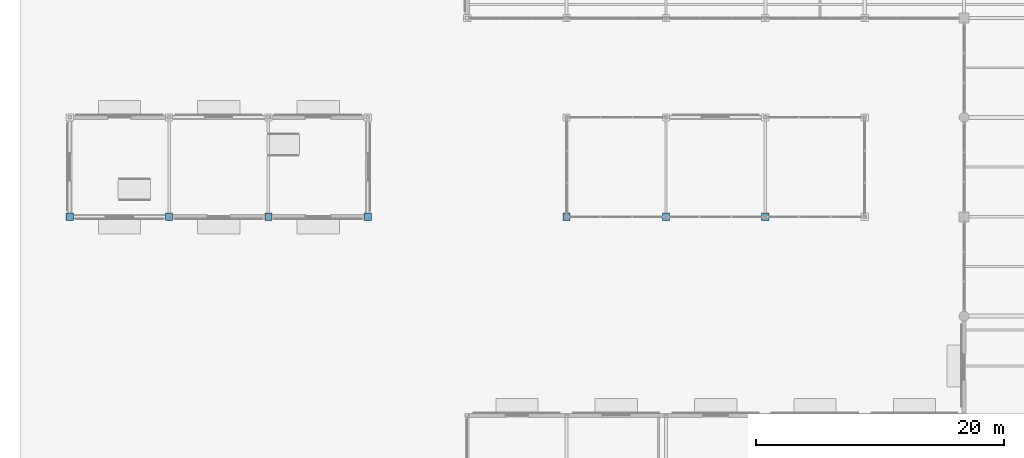
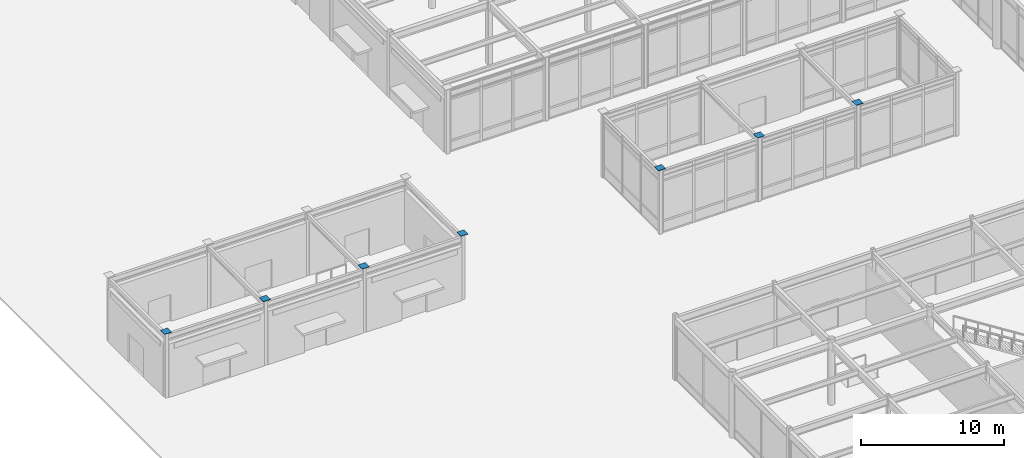
# One storey, part 111 of 128: 7 discrete accessories.
"""IFC4 building model written with IfcOpenShell, lengths in metres."""

from ifc_helpers import new_model, si_unit, direction, frame, origin, origin_2d, place, context, subcontext, project, spatial, rectangle, extrude, material, layer, layer_set, type_object, element, save


model = new_model("IFC4")

# Units and contexts
model_context = context("Model", 3, precision=1e-05, world=origin(), true_north=direction((0.0, 1.0)))
body_context = subcontext(model_context, "Body", "Model", "MODEL_VIEW")
ifc_project = project(units=[si_unit("LENGTHUNIT", "METRE"), si_unit("AREAUNIT", "SQUARE_METRE"), si_unit("VOLUMEUNIT", "CUBIC_METRE"), si_unit("PLANEANGLEUNIT", "RADIAN"), si_unit("MASSUNIT", "GRAM", prefix="KILO")], contexts=[model_context])

# Site, building, storey
site_placement = place(None, origin())
site = spatial("IfcSite", under=ifc_project, at=site_placement, CompositionType="ELEMENT")
building_placement = place(site_placement, origin())
building = spatial("IfcBuilding", under=site, at=building_placement, Name="Solmirada Galleria", CompositionType="ELEMENT")
storey_placement = place(building_placement, origin())
storey = spatial("IfcBuildingStorey", under=building, at=storey_placement, Name="L00", CompositionType="ELEMENT", Elevation=0.0)

# Discrete accessories
ifc_material = material(Name="Steel S355 / ASTM A572 Grade 50", Category="steel")
ifc_layer = layer(ifc_material, 0.031982421875)
ifc_layer_set = layer_set([ifc_layer], Name="Steel S355 / ASTM A572 Grade 50")
discrete_accessory_type = type_object("IfcDiscreteAccessoryType", Name="ACC-COL-CAP", PredefinedType="BRACKET", material=ifc_layer_set)
for number, where, z_axis, x_axis, name in (
    (1, (8.0, 56.0, 5.59423828125), (0.0, 0.0, 1.0), (1.0, 0.0, 0.0), "Hollow column cap plate L00-0002"),
    (2, (16.0, 56.0, 5.59423828125), (0.0, 0.0, 1.0), (1.0, 0.0, 0.0), "Hollow column cap plate L00-0006"),
    (3, (24.0, 56.0, 5.59423828125), (0.0, 0.0, 1.0), (1.0, 0.0, 0.0), "Hollow column cap plate L00-0010"),
    (4, (32.0, 56.0, 5.59423828125), (0.0, 0.0, 1.0), (1.0, 0.0, 0.0), "Hollow column cap plate L00-0014"),
    (5, (48.0, 56.0, 5.59423828125), (0.0, 0.0, 1.0), (1.0, 0.0, 0.0), "Hollow column cap plate L00-0103"),
    (6, (56.0, 56.0, 5.59423828125), (0.0, 0.0, 1.0), (1.0, 0.0, 0.0), "Hollow column cap plate L00-0170"),
    (7, (64.0, 56.0, 5.59423828125), (0.0, 0.0, 1.0), (1.0, 0.0, 0.0), "Hollow column cap plate L00-0234"),
):
    element("IfcDiscreteAccessory", number, at=place(storey_placement, frame(where, z_axis=z_axis, x_axis=x_axis)), inside=storey, type_object=discrete_accessory_type, Name=name, PredefinedType="BRACKET", context=body_context, shape_type="SweptSolid", body=[
        extrude(rectangle(XDim=0.580078125, YDim=0.580078125, at=origin_2d()), origin(), (0.0, 0.0, 1.0), 0.035888671875),
    ])

save(model, "model.ifc")
